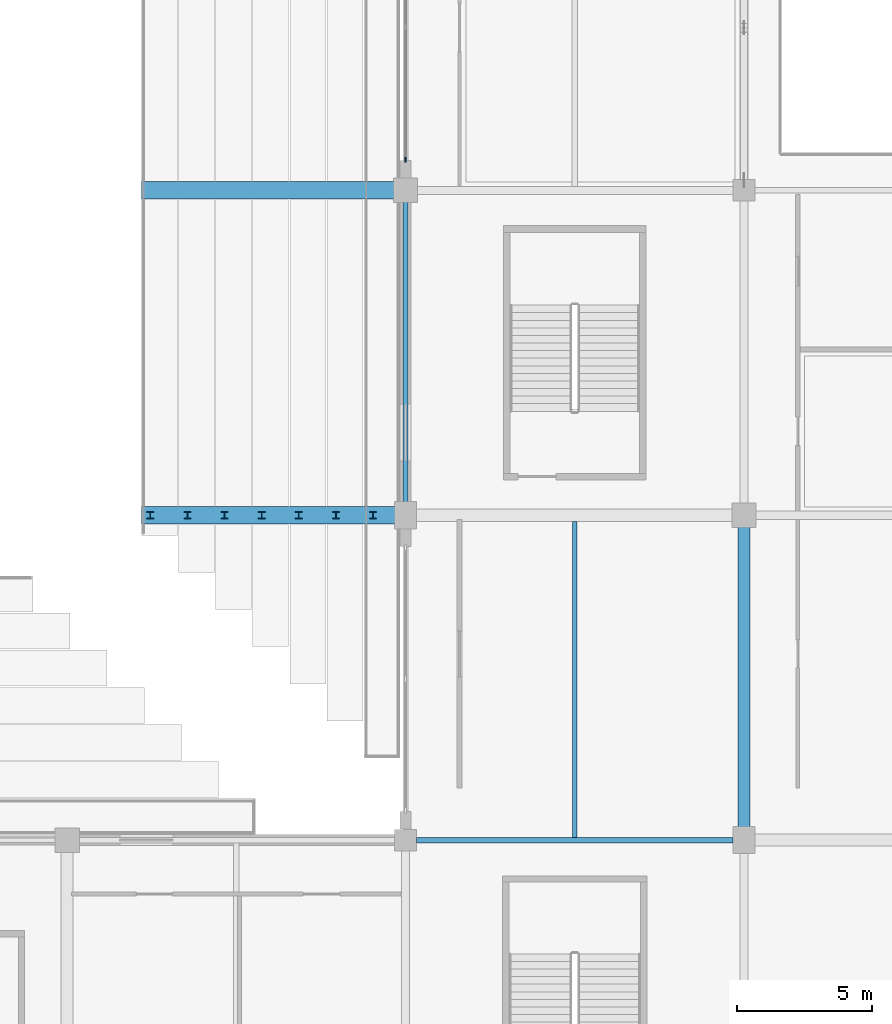
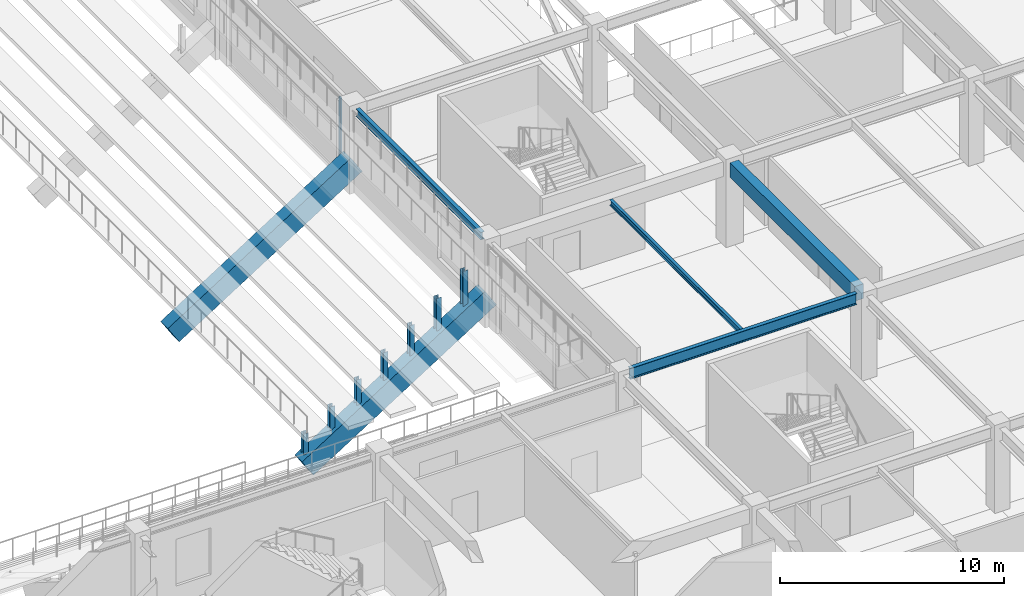
# One storey, part 34 of 134: 8 members, 6 beams, 1 element without a shape of its own.
"""IFC4 building model written with IfcOpenShell, lengths in metres."""

from ifc_helpers import new_model, si_unit, direction, frame, origin, origin_2d, place, context, subcontext, project, spatial, rectangle, i_section, extrude, material, layer, layer_set, material_profile, profile_set, type_object, element, aggregate, save


model = new_model("IFC4")

# Units and contexts
model_context = context("Model", 3, precision=1e-05, world=origin(), true_north=direction((0.0, 1.0)))
body_context = subcontext(model_context, "Body", "Model", "MODEL_VIEW")
ifc_project = project(units=[si_unit("LENGTHUNIT", "METRE"), si_unit("AREAUNIT", "SQUARE_METRE"), si_unit("VOLUMEUNIT", "CUBIC_METRE"), si_unit("PLANEANGLEUNIT", "RADIAN"), si_unit("MASSUNIT", "GRAM", prefix="KILO")], contexts=[model_context])

# Site, building, storey
site_placement = place(None, origin())
site = spatial("IfcSite", under=ifc_project, at=site_placement, CompositionType="ELEMENT")
building_placement = place(site_placement, origin())
building = spatial("IfcBuilding", under=site, at=building_placement, Name="Kazenohara Klinker Stadium", CompositionType="ELEMENT")
storey_placement = place(building_placement, frame((0.0, 0.0, 5.39990234375)))
storey = spatial("IfcBuildingStorey", under=building, at=storey_placement, Name="L01", CompositionType="ELEMENT", Elevation=5.39990234375)

# Beams
ifc_material_1 = material(Name="Steel S355", Category="steel")
ifc_material_profile_1 = material_profile(ifc_material_1, i_section(OverallWidth=0.14990234375, OverallDepth=0.300048828125, WebThickness=0.006591796875, FlangeThickness=0.009033203125, FilletRadius=0.012939453125, at=origin_2d()), Name="H-300x150x6.5x9")
ifc_profile_set_1 = profile_set([ifc_material_profile_1], Name="Steel S355")
beam_type_1 = type_object("IfcBeamType", Name="BM-JST05", PredefinedType="JOIST", material=ifc_profile_set_1)
beam_1_placement = place(storey_placement, frame((181.25, 36.10009765625, 4.400146484375), z_axis=(0.0, 1.0, 0.0), x_axis=(-1.0, 0.0, 0.0)))
element("IfcBeam", 1, at=beam_1_placement, inside=storey, type_object=beam_type_1, Name="Secondary floor joist SJ05 L01 15/D", PredefinedType="JOIST", context=body_context, shape_type="SweptSolid", body=[
    extrude(i_section(OverallWidth=0.14990234375, OverallDepth=0.300048828125, WebThickness=0.006591796875, FlangeThickness=0.009033203125, FilletRadius=0.012939453125, at=origin_2d()), origin(), (0.0, 0.0, 1.0), 11.6748046875),
])
ifc_material_2 = material(Name="Concrete C40/50", Category="concrete")
ifc_material_profile_2 = material_profile(ifc_material_2, rectangle(XDim=0.449951171875, YDim=0.800048828125, at=origin_2d()), Name="RC-BM-450x800")
ifc_profile_set_2 = profile_set([ifc_material_profile_2], Name="Concrete C40/50")
beam_type_2 = type_object("IfcBeamType", Name="BM-RC03", PredefinedType="BEAM", material=ifc_profile_set_2)
beam_2_placement = place(storey_placement, frame((187.5, 36.419921875, 4.150146484375), z_axis=(0.0, 1.0, 0.0), x_axis=(-1.0, 0.0, 0.0)))
element("IfcBeam", 2, at=beam_2_placement, inside=storey, type_object=beam_type_2, Name="Primary girder BG03 L01 16/D-E", PredefinedType="BEAM", context=body_context, shape_type="SweptSolid", body=[
    extrude(rectangle(XDim=0.449951171875, YDim=0.800048828125, at=origin_2d()), origin(), (0.0, 0.0, 1.0), 11.16015625),
])
ifc_material_profile_3 = material_profile(ifc_material_1, i_section(OverallWidth=0.199951171875, OverallDepth=0.39990234375, WebThickness=0.008056640625, FlangeThickness=0.012939453125, FilletRadius=0.012939453125, at=origin_2d()), Name="H-400x200x8x13")
ifc_profile_set_3 = profile_set([ifc_material_profile_3], Name="Steel S355")
beam_type_3 = type_object("IfcBeamType", Name="BM-SPD01", PredefinedType="SPANDREL", material=ifc_profile_set_3)
beam_3_placement = place(storey_placement, frame((175.0, 48.419921875, 4.35009765625), z_axis=(0.0, 1.0, 0.0), x_axis=(-1.0, 0.0, 0.0)))
element("IfcBeam", 3, at=beam_3_placement, inside=storey, type_object=beam_type_3, Name="Primary girder SP01 L01 15/E-F", PredefinedType="SPANDREL", context=body_context, shape_type="SweptSolid", body=[
    extrude(i_section(OverallWidth=0.199951171875, OverallDepth=0.39990234375, WebThickness=0.008056640625, FlangeThickness=0.012939453125, FilletRadius=0.012939453125, at=origin_2d()), origin(), (0.0, 0.0, 1.0), 11.16015625),
])
ifc_material_profile_4 = material_profile(ifc_material_1, i_section(OverallWidth=0.199951171875, OverallDepth=0.60009765625, WebThickness=0.010986328125, FlangeThickness=0.01708984375, FilletRadius=0.012939453125, at=origin_2d()), Name="H-600x200x11x17")
ifc_profile_set_4 = profile_set([ifc_material_profile_4], Name="Steel S355")
beam_type_4 = type_object("IfcBeamType", Name="BM-ST04", PredefinedType="BEAM", material=ifc_profile_set_4)
beam_4_placement = place(storey_placement, frame((175.39990234375, 36.0, 4.25), z_axis=(1.0, 0.0, 0.0), x_axis=(0.0, 1.0, 0.0)))
element("IfcBeam", 4, at=beam_4_placement, inside=storey, type_object=beam_type_4, Name="Primary girder SB04 L01 15-16/D", PredefinedType="BEAM", context=body_context, shape_type="SweptSolid", body=[
    extrude(i_section(OverallWidth=0.199951171875, OverallDepth=0.60009765625, WebThickness=0.010986328125, FlangeThickness=0.01708984375, FilletRadius=0.012939453125, at=origin_2d()), origin(), (0.0, 0.0, 1.0), 11.7001953125),
])

# Curtain wall, member
ifc_material_3 = material(Name="Anodised aluminium and triple glazing", Category="aluminium")
ifc_layer = layer(ifc_material_3, 0.18994140625)
ifc_layer_set = layer_set([ifc_layer], Name="Anodised aluminium and triple glazing")
curtain_wall_type = type_object("IfcCurtainWallType", Name="CW-SYS-05", PredefinedType="USERDEFINED", material=ifc_layer_set)
curtain_wall_placement = place(storey_placement, origin())
curtain_wall = element("IfcCurtainWall", 5, at=curtain_wall_placement, inside=storey, type_object=curtain_wall_type, Name="Unitised facade curtain wall CW05 L01 Y14-5", ObjectType="UNITISED CURTAIN WALL", PredefinedType="USERDEFINED")
ifc_material_4 = material(Name="Anodised aluminium 6063-T6", Category="aluminium")
ifc_material_profile_5 = material_profile(ifc_material_4, rectangle(XDim=0.06494140625, YDim=0.179931640625, at=origin_2d()), Name="ALU-MUL-65x180")
ifc_profile_set_5 = profile_set([ifc_material_profile_5], Name="Anodised aluminium 6063-T6")
member_type_1 = type_object("IfcMemberType", Name="CW-MUL-180", PredefinedType="MULLION", material=ifc_profile_set_5)
member_1_placement = place(storey_placement, frame((175.0, 61.136474609375, 0.0), z_axis=(0.0, 0.0, 1.0), x_axis=(-1.0, 0.0, 0.0)))
member_1 = element("IfcMember", 6, at=member_1_placement, type_object=member_type_1, Name="CW05 mullion 1", PredefinedType="MULLION", context=body_context, shape_type="SweptSolid", body=[
    extrude(rectangle(XDim=0.06494140625, YDim=0.179931640625, at=origin_2d()), origin(), (0.0, 0.0, 1.0), 4.2001953125),
])
aggregate(curtain_wall, [member_1])

# Members
ifc_material_profile_6 = material_profile(ifc_material_1, i_section(OverallWidth=0.25, OverallDepth=0.25, WebThickness=0.009033203125, FlangeThickness=0.013916015625, FilletRadius=0.012939453125, at=origin_2d()), Name="H-250x250x9x14")
ifc_profile_set_6 = profile_set([ifc_material_profile_6], Name="Steel S355")
member_type_2 = type_object("IfcMemberType", Name="MEM-STR02", PredefinedType="STRUT", material=ifc_profile_set_6)
member_2_placement = place(storey_placement, frame((173.801513671875, 48.0, 1.2783203125), z_axis=(0.0, 0.0, 1.0), x_axis=(1.0, 0.0, 0.0)))
element("IfcMember", 7, at=member_2_placement, inside=storey, type_object=member_type_2, Name="Precast tier riser stool LOWER-E-01-04", PredefinedType="STRUT", context=body_context, shape_type="SweptSolid", body=[
    extrude(i_section(OverallWidth=0.25, OverallDepth=0.25, WebThickness=0.009033203125, FlangeThickness=0.013916015625, FilletRadius=0.012939453125, at=origin_2d()), origin(), (0.0, 0.0, 1.0), 1.911865234375),
])
member_3_placement = place(storey_placement, frame((172.429931640625, 48.0, 0.407470703125), z_axis=(0.0, 0.0, 1.0), x_axis=(1.0, 0.0, 0.0)))
element("IfcMember", 8, at=member_3_placement, inside=storey, type_object=member_type_2, Name="Precast tier riser stool LOWER-E-02-04", PredefinedType="STRUT", context=body_context, shape_type="SweptSolid", body=[
    extrude(i_section(OverallWidth=0.25, OverallDepth=0.25, WebThickness=0.009033203125, FlangeThickness=0.013916015625, FilletRadius=0.012939453125, at=origin_2d()), origin(), (0.0, 0.0, 1.0), 1.78271484375),
])
member_4_placement = place(storey_placement, frame((171.05859375, 48.0, -0.463134765625), z_axis=(0.0, 0.0, 1.0), x_axis=(1.0, 0.0, 0.0)))
element("IfcMember", 9, at=member_4_placement, inside=storey, type_object=member_type_2, Name="Precast tier riser stool LOWER-E-03-04", PredefinedType="STRUT", context=body_context, shape_type="SweptSolid", body=[
    extrude(i_section(OverallWidth=0.25, OverallDepth=0.25, WebThickness=0.009033203125, FlangeThickness=0.013916015625, FilletRadius=0.012939453125, at=origin_2d()), origin(), (0.0, 0.0, 1.0), 1.6533203125),
])
member_5_placement = place(storey_placement, frame((169.68701171875, 48.0, -1.333984375), z_axis=(0.0, 0.0, 1.0), x_axis=(1.0, 0.0, 0.0)))
element("IfcMember", 10, at=member_5_placement, inside=storey, type_object=member_type_2, Name="Precast tier riser stool LOWER-E-04-04", PredefinedType="STRUT", context=body_context, shape_type="SweptSolid", body=[
    extrude(i_section(OverallWidth=0.25, OverallDepth=0.25, WebThickness=0.009033203125, FlangeThickness=0.013916015625, FilletRadius=0.012939453125, at=origin_2d()), origin(), (0.0, 0.0, 1.0), 1.524169921875),
])
member_6_placement = place(storey_placement, frame((168.315673828125, 48.0, -2.20458984375), z_axis=(0.0, 0.0, 1.0), x_axis=(1.0, 0.0, 0.0)))
element("IfcMember", 11, at=member_6_placement, inside=storey, type_object=member_type_2, Name="Precast tier riser stool LOWER-E-05-04", PredefinedType="STRUT", context=body_context, shape_type="SweptSolid", body=[
    extrude(i_section(OverallWidth=0.25, OverallDepth=0.25, WebThickness=0.009033203125, FlangeThickness=0.013916015625, FilletRadius=0.012939453125, at=origin_2d()), origin(), (0.0, 0.0, 1.0), 1.394775390625),
])
member_7_placement = place(storey_placement, frame((166.9443359375, 48.0, -3.075439453125), z_axis=(0.0, 0.0, 1.0), x_axis=(1.0, 0.0, 0.0)))
element("IfcMember", 12, at=member_7_placement, inside=storey, type_object=member_type_2, Name="Precast tier riser stool LOWER-E-06-04", PredefinedType="STRUT", context=body_context, shape_type="SweptSolid", body=[
    extrude(i_section(OverallWidth=0.25, OverallDepth=0.25, WebThickness=0.009033203125, FlangeThickness=0.013916015625, FilletRadius=0.012939453125, at=origin_2d()), origin(), (0.0, 0.0, 1.0), 1.265625),
])
member_8_placement = place(storey_placement, frame((165.572998046875, 48.0, -3.9462890625), z_axis=(0.0, 0.0, 1.0), x_axis=(1.0, 0.0, 0.0)))
element("IfcMember", 13, at=member_8_placement, inside=storey, type_object=member_type_2, Name="Precast tier riser stool LOWER-E-07-04", PredefinedType="STRUT", context=body_context, shape_type="SweptSolid", body=[
    extrude(i_section(OverallWidth=0.25, OverallDepth=0.25, WebThickness=0.009033203125, FlangeThickness=0.013916015625, FilletRadius=0.012939453125, at=origin_2d()), origin(), (0.0, 0.0, 1.0), 1.136474609375),
])

# Beams
ifc_material_5 = material(Name="Precast concrete C50/60", Category="concrete")
ifc_material_profile_7 = material_profile(ifc_material_5, rectangle(XDim=0.64990234375, YDim=1.10009765625, at=origin_2d()), Name="PC-RAKER-650x1100")
ifc_profile_set_7 = profile_set([ifc_material_profile_7], Name="Precast concrete C50/60")
beam_type_5 = type_object("IfcBeamType", Name="RAKER-RK01", PredefinedType="USERDEFINED", material=ifc_profile_set_7)
for number, where, z_axis, x_axis, name in (
    (14, (175.0, 48.0, 1.401611328125), (-0.844211562005, 0.0, -0.536010110518), (0.0, -1.0, 0.0), "Precast bowl raker girder RK01 LOWER East E"),
    (15, (175.0, 60.0, 1.401611328125), (-0.844211562005, 0.0, -0.536010110518), (0.0, -1.0, 0.0), "Precast bowl raker girder RK01 LOWER East F"),
):
    element("IfcBeam", number, at=place(storey_placement, frame(where, z_axis=z_axis, x_axis=x_axis)), inside=storey, type_object=beam_type_5, Name=name, ObjectType="RAKER", PredefinedType="USERDEFINED", context=body_context, shape_type="SweptSolid", body=[
        extrude(rectangle(XDim=0.64990234375, YDim=1.10009765625, at=origin_2d()), origin(), (0.0, 0.0, 1.0), 11.19384765625),
    ])

save(model, "model.ifc")
